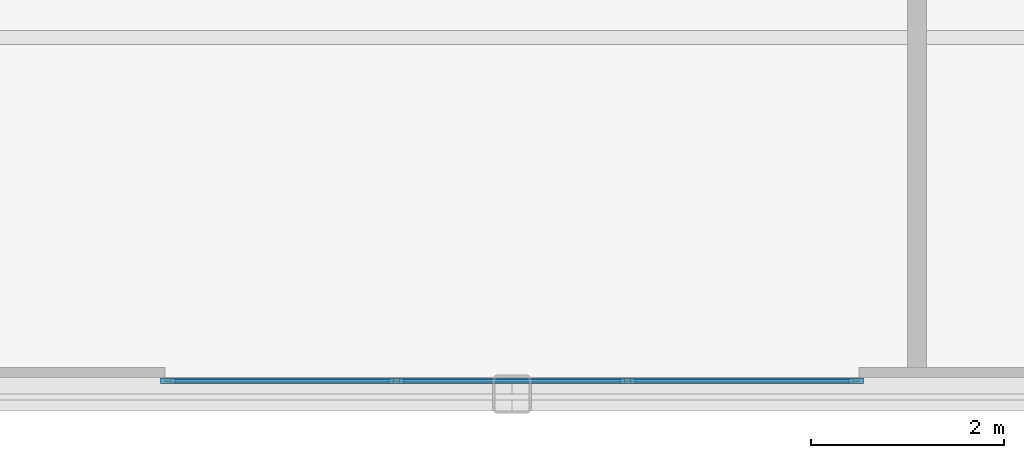
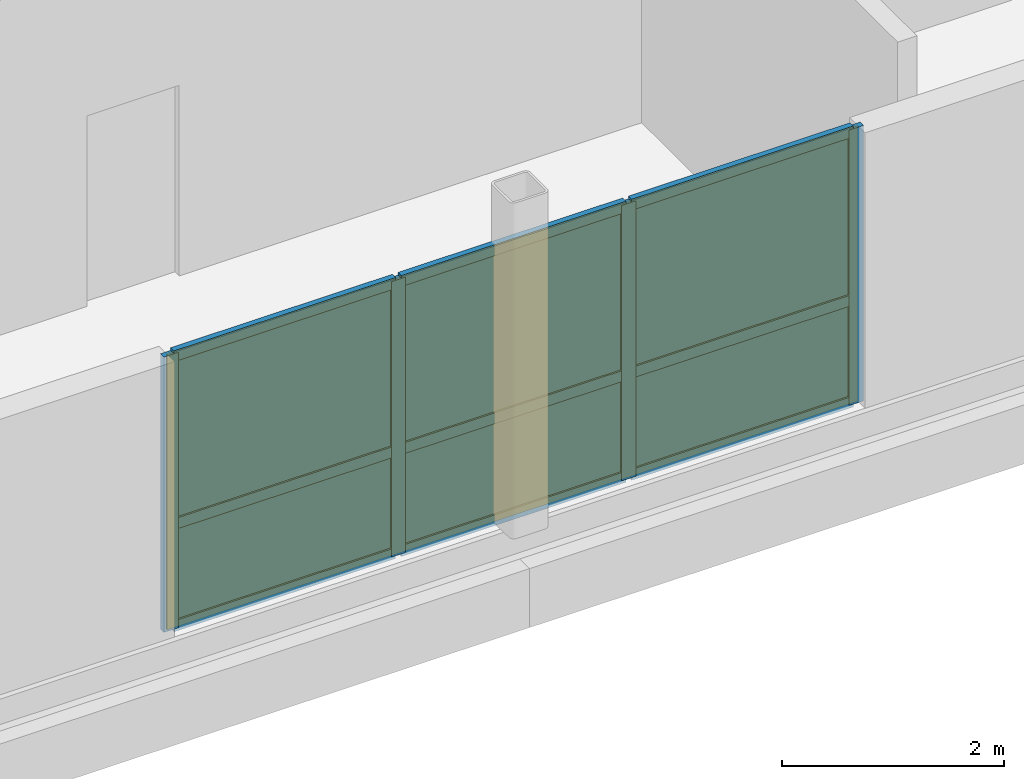
# One storey, part 4 of 9: 13 members, 6 plates, 1 curtain wall.
"""IFC4 building model written with IfcOpenShell, lengths in metres."""

from ifc_helpers import new_model, si_unit, direction, frame, frame_2d, origin, origin_2d, place, context, subcontext, project, spatial, rectangle, extrude, source, transform, mapped, material, layer, layer_set, material_profile, profile_set, type_object, type_shapes, element, aggregate, save


model = new_model("IFC4")

# Units and contexts
model_context = context("Model", 3, precision=1e-05, world=origin(), true_north=direction((0.0, 1.0)))
body_context = subcontext(model_context, "Body", "Model", "MODEL_VIEW")
ifc_project = project(units=[si_unit("LENGTHUNIT", "METRE"), si_unit("AREAUNIT", "SQUARE_METRE"), si_unit("VOLUMEUNIT", "CUBIC_METRE"), si_unit("PLANEANGLEUNIT", "RADIAN"), si_unit("MASSUNIT", "GRAM", prefix="KILO")], contexts=[model_context])

# Member
ifc_material_1 = material(Name="Anodised aluminium 6063-T6", Category="aluminium")
ifc_material_profile_1 = material_profile(ifc_material_1, rectangle(XDim=0.06005859375, YDim=0.14990234375, at=origin_2d()), Name="ALU-MULL-60x150")
ifc_profile_set_1 = profile_set([ifc_material_profile_1], Name="Anodised aluminium 6063-T6")
member_type_1 = type_object("IfcMemberType", Name="CWM-6", PredefinedType="MULLION", material=ifc_profile_set_1)
site_placement = place(None, origin())
building_placement = place(site_placement, origin())
storey_placement = place(building_placement, frame((0.0, 0.0, 287.14990234375)))
member_1_placement = place(storey_placement, frame((-3.570068359375, -16.860107421875, 0.0), z_axis=(0.0, 0.0, 1.0), x_axis=(0.0, 1.0, 0.0)))
member_1 = element("IfcMember", 1, at=member_1_placement, type_object=member_type_1, Name="CWS-6 mullion 1", PredefinedType="MULLION", context=body_context, shape_type="SweptSolid", body=[
    extrude(rectangle(XDim=0.06005859375, YDim=0.14990234375, at=origin_2d()), origin(), (0.0, 0.0, 1.0), 3.03515625),
])

member_2_placement = place(storey_placement, frame((-1.199951171875, -16.860107421875, 0.0), z_axis=(0.0, 0.0, 1.0), x_axis=(0.0, 1.0, 0.0)))
member_2 = element("IfcMember", 2, at=member_2_placement, type_object=member_type_1, Name="CWS-6 mullion 2", PredefinedType="MULLION", context=body_context, shape_type="SweptSolid", body=[
    extrude(rectangle(XDim=0.06005859375, YDim=0.14990234375, at=origin_2d()), origin(), (0.0, 0.0, 1.0), 3.03515625),
])

member_3_placement = place(storey_placement, frame((1.199951171875, -16.860107421875, 0.0), z_axis=(0.0, 0.0, 1.0), x_axis=(0.0, 1.0, 0.0)))
member_3 = element("IfcMember", 3, at=member_3_placement, type_object=member_type_1, Name="CWS-6 mullion 3", PredefinedType="MULLION", context=body_context, shape_type="SweptSolid", body=[
    extrude(rectangle(XDim=0.06005859375, YDim=0.14990234375, at=origin_2d()), origin(), (0.0, 0.0, 1.0), 3.03515625),
])

member_4_placement = place(storey_placement, frame((3.570068359375, -16.860107421875, 0.0), z_axis=(0.0, 0.0, 1.0), x_axis=(0.0, 1.0, 0.0)))
member_4 = element("IfcMember", 4, at=member_4_placement, type_object=member_type_1, Name="CWS-6 mullion 4", PredefinedType="MULLION", context=body_context, shape_type="SweptSolid", body=[
    extrude(rectangle(XDim=0.06005859375, YDim=0.14990234375, at=origin_2d()), origin(), (0.0, 0.0, 1.0), 3.03515625),
])

ifc_material_profile_2 = material_profile(ifc_material_1, rectangle(XDim=0.06005859375, YDim=0.1201171875, at=origin_2d()), Name="ALU-TRAN-60x120")
ifc_profile_set_2 = profile_set([ifc_material_profile_2], Name="Anodised aluminium 6063-T6")
member_type_2 = type_object("IfcMemberType", Name="CWT-6", PredefinedType="USERDEFINED", material=ifc_profile_set_2)
member_5_placement = place(storey_placement, frame((-3.5400390625, -16.860107421875, 0.030029296875), z_axis=(1.0, 0.0, 0.0), x_axis=(0.0, 1.0, 0.0)))
member_5 = element("IfcMember", 5, at=member_5_placement, type_object=member_type_2, Name="CWS-6 transom 1.1", ObjectType="TRANSOM", PredefinedType="USERDEFINED", context=body_context, shape_type="SweptSolid", body=[
    extrude(rectangle(XDim=0.06005859375, YDim=0.1201171875, at=origin_2d()), origin(), (0.0, 0.0, 1.0), 2.31005859375),
])

member_6_placement = place(storey_placement, frame((-3.5400390625, -16.860107421875, 1.1533203125), z_axis=(1.0, 0.0, 0.0), x_axis=(0.0, 1.0, 0.0)))
member_6 = element("IfcMember", 6, at=member_6_placement, type_object=member_type_2, Name="CWS-6 transom 1.2", ObjectType="TRANSOM", PredefinedType="USERDEFINED", context=body_context, shape_type="SweptSolid", body=[
    extrude(rectangle(XDim=0.06005859375, YDim=0.1201171875, at=origin_2d()), origin(), (0.0, 0.0, 1.0), 2.31005859375),
])

member_7_placement = place(storey_placement, frame((-3.5400390625, -16.860107421875, 3.005126953125), z_axis=(1.0, 0.0, 0.0), x_axis=(0.0, 1.0, 0.0)))
member_7 = element("IfcMember", 7, at=member_7_placement, type_object=member_type_2, Name="CWS-6 transom 1.3", ObjectType="TRANSOM", PredefinedType="USERDEFINED", context=body_context, shape_type="SweptSolid", body=[
    extrude(rectangle(XDim=0.06005859375, YDim=0.1201171875, at=origin_2d()), origin(), (0.0, 0.0, 1.0), 2.31005859375),
])

member_8_placement = place(storey_placement, frame((-1.169921875, -16.860107421875, 0.030029296875), z_axis=(1.0, 0.0, 0.0), x_axis=(0.0, 1.0, 0.0)))
member_8 = element("IfcMember", 8, at=member_8_placement, type_object=member_type_2, Name="CWS-6 transom 2.1", ObjectType="TRANSOM", PredefinedType="USERDEFINED", context=body_context, shape_type="SweptSolid", body=[
    extrude(rectangle(XDim=0.06005859375, YDim=0.1201171875, at=origin_2d()), origin(), (0.0, 0.0, 1.0), 2.33984375),
])

member_9_placement = place(storey_placement, frame((-1.169921875, -16.860107421875, 1.1533203125), z_axis=(1.0, 0.0, 0.0), x_axis=(0.0, 1.0, 0.0)))
member_9 = element("IfcMember", 9, at=member_9_placement, type_object=member_type_2, Name="CWS-6 transom 2.2", ObjectType="TRANSOM", PredefinedType="USERDEFINED", context=body_context, shape_type="SweptSolid", body=[
    extrude(rectangle(XDim=0.06005859375, YDim=0.1201171875, at=origin_2d()), origin(), (0.0, 0.0, 1.0), 2.33984375),
])

member_10_placement = place(storey_placement, frame((-1.169921875, -16.860107421875, 3.005126953125), z_axis=(1.0, 0.0, 0.0), x_axis=(0.0, 1.0, 0.0)))
member_10 = element("IfcMember", 10, at=member_10_placement, type_object=member_type_2, Name="CWS-6 transom 2.3", ObjectType="TRANSOM", PredefinedType="USERDEFINED", context=body_context, shape_type="SweptSolid", body=[
    extrude(rectangle(XDim=0.06005859375, YDim=0.1201171875, at=origin_2d()), origin(), (0.0, 0.0, 1.0), 2.33984375),
])

member_11_placement = place(storey_placement, frame((1.22998046875, -16.860107421875, 0.030029296875), z_axis=(1.0, 0.0, 0.0), x_axis=(0.0, 1.0, 0.0)))
member_11 = element("IfcMember", 11, at=member_11_placement, type_object=member_type_2, Name="CWS-6 transom 3.1", ObjectType="TRANSOM", PredefinedType="USERDEFINED", context=body_context, shape_type="SweptSolid", body=[
    extrude(rectangle(XDim=0.06005859375, YDim=0.1201171875, at=origin_2d()), origin(), (0.0, 0.0, 1.0), 2.31005859375),
])

member_12_placement = place(storey_placement, frame((1.22998046875, -16.860107421875, 1.1533203125), z_axis=(1.0, 0.0, 0.0), x_axis=(0.0, 1.0, 0.0)))
member_12 = element("IfcMember", 12, at=member_12_placement, type_object=member_type_2, Name="CWS-6 transom 3.2", ObjectType="TRANSOM", PredefinedType="USERDEFINED", context=body_context, shape_type="SweptSolid", body=[
    extrude(rectangle(XDim=0.06005859375, YDim=0.1201171875, at=origin_2d()), origin(), (0.0, 0.0, 1.0), 2.31005859375),
])

member_13_placement = place(storey_placement, frame((1.22998046875, -16.860107421875, 3.005126953125), z_axis=(1.0, 0.0, 0.0), x_axis=(0.0, 1.0, 0.0)))
member_13 = element("IfcMember", 13, at=member_13_placement, type_object=member_type_2, Name="CWS-6 transom 3.3", ObjectType="TRANSOM", PredefinedType="USERDEFINED", context=body_context, shape_type="SweptSolid", body=[
    extrude(rectangle(XDim=0.06005859375, YDim=0.1201171875, at=origin_2d()), origin(), (0.0, 0.0, 1.0), 2.31005859375),
])

# Plate
ifc_material_2 = material(Name="Insulated solar-control glass", Category="glass")
ifc_layer_1 = layer(ifc_material_2, 0.02392578125, Name="CWP-6")
ifc_layer_set_1 = layer_set([ifc_layer_1], Name="Insulated solar-control glass")
plate_type = type_object("IfcPlateType", Name="CWP-6", PredefinedType="CURTAIN_PANEL", material=ifc_layer_set_1)
shared_shape_1 = source(origin(), body_context, "Body", "SweptSolid", [
    extrude(rectangle(XDim=2.31005859375, YDim=0.02392578125, at=origin_2d()), origin(), (0.0, 0.0, 1.0), 1.063232421875),
])
plate_1_placement = place(storey_placement, frame((-2.385009765625, -16.860107421875, 0.06005859375), z_axis=(0.0, 0.0, 1.0), x_axis=(1.0, 0.0, 0.0)))
plate_1 = element("IfcPlate", 14, at=plate_1_placement, type_object=plate_type, Name="CWS-6 panel 1.1", PredefinedType="CURTAIN_PANEL", context=body_context, shape_type="MappedRepresentation", body=[
    mapped(shared_shape_1, transform((0.0, 0.0, 0.0), scale=1.0)),
])

plate_2_placement = place(storey_placement, frame((2.385009765625, -16.860107421875, 0.06005859375), z_axis=(0.0, 0.0, 1.0), x_axis=(1.0, 0.0, 0.0)))
plate_2 = element("IfcPlate", 15, at=plate_2_placement, type_object=plate_type, Name="CWS-6 panel 3.1", PredefinedType="CURTAIN_PANEL", context=body_context, shape_type="MappedRepresentation", body=[
    mapped(shared_shape_1, transform((0.0, 0.0, 0.0), scale=1.0)),
])

shared_shape_2 = source(origin(), body_context, "Body", "SweptSolid", [
    extrude(rectangle(XDim=2.31005859375, YDim=0.02392578125, at=origin_2d()), origin(), (0.0, 0.0, 1.0), 1.791748046875),
])
plate_3_placement = place(storey_placement, frame((-2.385009765625, -16.860107421875, 1.18359375), z_axis=(0.0, 0.0, 1.0), x_axis=(1.0, 0.0, 0.0)))
plate_3 = element("IfcPlate", 16, at=plate_3_placement, type_object=plate_type, Name="CWS-6 panel 1.2", PredefinedType="CURTAIN_PANEL", context=body_context, shape_type="MappedRepresentation", body=[
    mapped(shared_shape_2, transform((0.0, 0.0, 0.0), scale=1.0)),
])

plate_4_placement = place(storey_placement, frame((2.385009765625, -16.860107421875, 1.18359375), z_axis=(0.0, 0.0, 1.0), x_axis=(1.0, 0.0, 0.0)))
plate_4 = element("IfcPlate", 17, at=plate_4_placement, type_object=plate_type, Name="CWS-6 panel 3.2", PredefinedType="CURTAIN_PANEL", context=body_context, shape_type="MappedRepresentation", body=[
    mapped(shared_shape_2, transform((0.0, 0.0, 0.0), scale=1.0)),
])

shared_shape_3 = source(origin(), body_context, "Body", "SweptSolid", [
    extrude(rectangle(XDim=2.340087890625, YDim=0.02392578125, at=origin_2d()), origin(), (0.0, 0.0, 1.0), 1.063232421875),
])
plate_5_placement = place(storey_placement, frame((0.0, -16.860107421875, 0.06005859375), z_axis=(0.0, 0.0, 1.0), x_axis=(1.0, 0.0, 0.0)))
plate_5 = element("IfcPlate", 18, at=plate_5_placement, type_object=plate_type, Name="CWS-6 panel 2.1", PredefinedType="CURTAIN_PANEL", context=body_context, shape_type="MappedRepresentation", body=[
    mapped(shared_shape_3, transform((0.0, 0.0, 0.0), scale=1.0)),
])

shared_shape_4 = source(origin(), body_context, "Body", "SweptSolid", [
    extrude(rectangle(XDim=2.340087890625, YDim=0.02392578125, at=origin_2d()), origin(), (0.0, 0.0, 1.0), 1.791748046875),
])
type_shapes(plate_type, [shared_shape_1, shared_shape_2, shared_shape_3, shared_shape_4])
plate_6_placement = place(storey_placement, frame((0.0, -16.860107421875, 1.18359375), z_axis=(0.0, 0.0, 1.0), x_axis=(1.0, 0.0, 0.0)))
plate_6 = element("IfcPlate", 19, at=plate_6_placement, type_object=plate_type, Name="CWS-6 panel 2.2", PredefinedType="CURTAIN_PANEL", context=body_context, shape_type="MappedRepresentation", body=[
    mapped(shared_shape_4, transform((0.0, 0.0, 0.0), scale=1.0)),
])

# Site, building, storey
site = spatial("IfcSite", under=ifc_project, at=site_placement, CompositionType="ELEMENT")
building = spatial("IfcBuilding", under=site, at=building_placement, Name="Nuvemarco Arch Tower", CompositionType="ELEMENT")
storey = spatial("IfcBuildingStorey", under=building, at=storey_placement, Name="L76", CompositionType="ELEMENT", Elevation=287.14990234375)

# Curtain wall
ifc_layer_2 = layer(ifc_material_2, 0.14990234375, Name="CW-SYS-6")
ifc_layer_set_2 = layer_set([ifc_layer_2], Name="Insulated solar-control glass")
curtain_wall_type = type_object("IfcCurtainWallType", Name="CW-SYS-6", PredefinedType="NOTDEFINED", material=ifc_layer_set_2)
curtain_wall_placement = place(storey_placement, frame((-3.60009765625, -16.860107421875, 0.0), z_axis=(0.0, 0.0, 1.0), x_axis=(1.0, 0.0, 0.0)))
curtain_wall = element("IfcCurtainWall", 20, at=curtain_wall_placement, inside=storey, type_object=curtain_wall_type, Name="L76 curtain wall CWS-6", PredefinedType="NOTDEFINED", context=body_context, shape_type="SweptSolid", body=[
    extrude(rectangle(XDim=7.2001953125, YDim=0.02001953125, at=frame_2d((3.60009765625, 0.0))), origin(), (0.0, 0.0, 1.0), 3.03515625),
])

aggregate(curtain_wall, [member_1, member_2, member_3, member_4, member_5, member_6, member_7, plate_1, plate_3, member_8, member_9, member_10, plate_5, plate_6, member_11, member_12, member_13, plate_2, plate_4])

save(model, "model.ifc")
